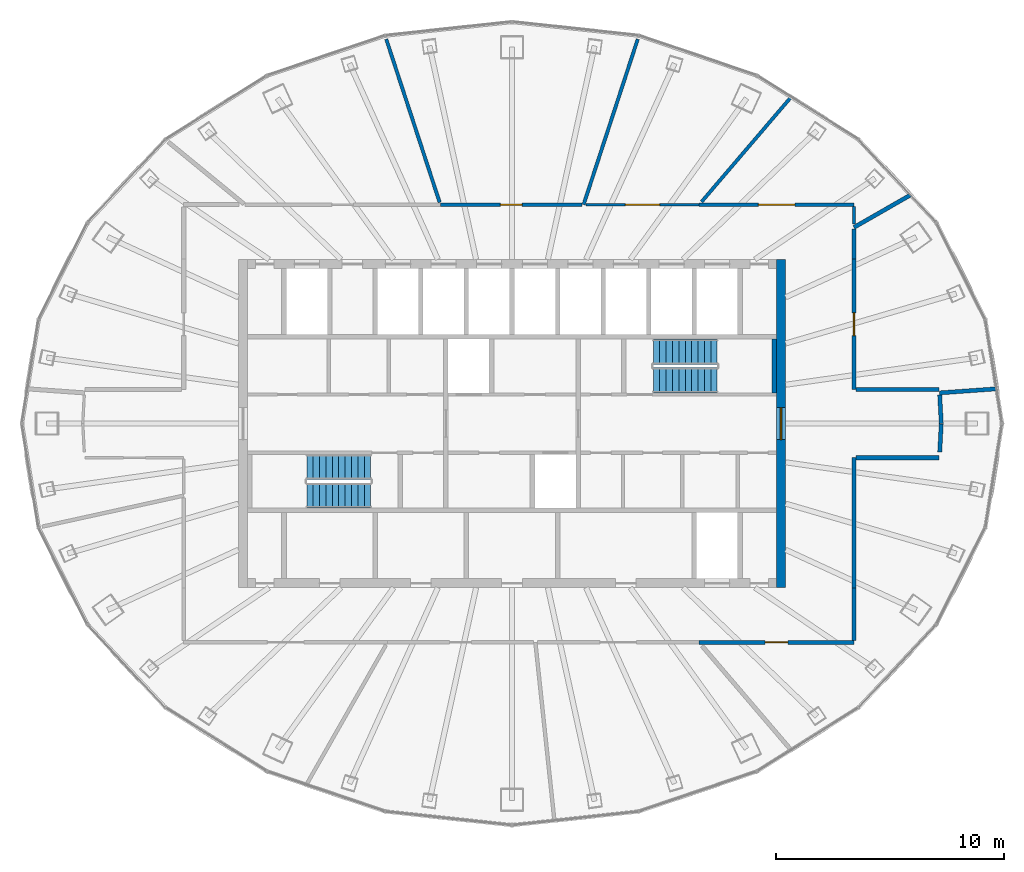
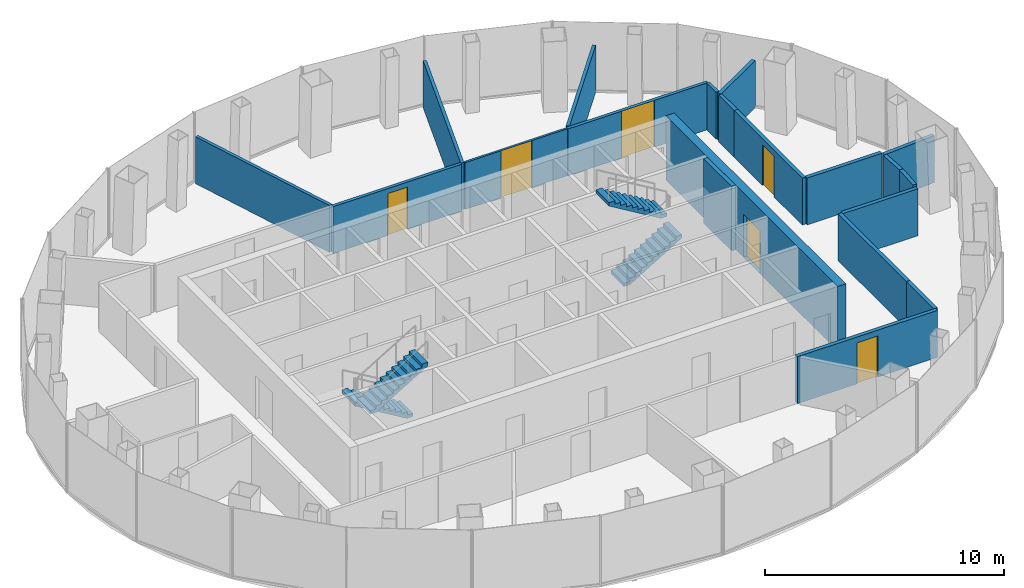
# One storey, part 11 of 12: 20 walls, 6 doors, 4 stair flights, 6 openings, 2 elements without a shape of their own.
"""IFC4 building model written with IfcOpenShell, lengths in metres."""

from ifc_helpers import new_model, si_unit, direction, frame, frame_2d, origin, place, context, subcontext, project, spatial, polyline, rectangle, outline, extrude, material, layer, layer_set, type_object, element, fill, aggregate, save


model = new_model("IFC4")

# Units and contexts
model_context = context("Model", 3, precision=1e-05, world=origin(), true_north=direction((0.0, 1.0)))
body_context = subcontext(model_context, "Body", "Model", "MODEL_VIEW")
ifc_project = project(units=[si_unit("LENGTHUNIT", "METRE"), si_unit("AREAUNIT", "SQUARE_METRE"), si_unit("VOLUMEUNIT", "CUBIC_METRE"), si_unit("PLANEANGLEUNIT", "RADIAN"), si_unit("MASSUNIT", "GRAM", prefix="KILO")], contexts=[model_context])

# Site, building, storey
site_placement = place(None, origin())
site = spatial("IfcSite", under=ifc_project, at=site_placement, CompositionType="ELEMENT")
building_placement = place(site_placement, origin())
building = spatial("IfcBuilding", under=site, at=building_placement, Name="Siaravel Broadcast Tower", CompositionType="ELEMENT")
storey_placement = place(building_placement, frame((0.0, 0.0, 231.89990234375)))
storey = spatial("IfcBuildingStorey", under=building, at=storey_placement, Name="L56", CompositionType="ELEMENT", Elevation=231.89990234375)

# Wall, opening, door
ifc_material_1 = material(Name="Concrete C60/75", Category="concrete")
ifc_layer_1 = layer(ifc_material_1, 0.39990234375)
ifc_layer_set_1 = layer_set([ifc_layer_1], Name="Concrete C60/75")
wall_type_1 = type_object("IfcWallType", Name="Core wall 400", PredefinedType="SHEAR", material=ifc_layer_set_1)
wall_1_placement = place(storey_placement, frame((11.800048828125, -7.199951171875, 0.0), z_axis=(0.0, 0.0, 1.0), x_axis=(0.0, 1.0, 0.0)))
wall_1 = element("IfcWall", 1, at=wall_1_placement, inside=storey, type_object=wall_type_1, Name="L56 core wall OE", PredefinedType="SHEAR", context=body_context, shape_type="SweptSolid", body=[
    extrude(rectangle(XDim=14.39990234375, YDim=0.39990234375, at=frame_2d((7.199951171875, 0.0))), origin(), (0.0, 0.0, 1.0), 3.300048828125),
])
opening_1_placement = place(wall_1_placement, frame((6.5, 0.0, 0.0)))
opening_1 = element("IfcOpeningElement", 2, at=opening_1_placement, cuts=wall_1, Name="Opening L56-DX-E", PredefinedType="OPENING", context=body_context, shape_type="SweptSolid", body=[
    extrude(rectangle(XDim=1.39990234375, YDim=2.199951171875, at=frame_2d((0.699951171875, 1.10009765625))), frame((0.0, 0.2099609375, 0.0), z_axis=(0.0, -1.0, 0.0), x_axis=(1.0, 0.0, 0.0)), (0.0, 0.0, 1.0), 0.419921875),
])
ifc_material_2 = material(Name="Steel", Category="steel")
door_type_1 = type_object("IfcDoorType", Name="Core exit door 1400", OperationType="DOUBLE_DOOR_SINGLE_SWING", PredefinedType="DOOR", material=ifc_material_2)
door_1_placement = place(opening_1_placement, origin())
door_1 = element("IfcDoor", 3, at=door_1_placement, inside=storey, type_object=door_type_1, Name="L56 door DX-E", OperationType="DOUBLE_DOOR_SINGLE_SWING", OverallHeight=2.199951171875, OverallWidth=1.39990234375, PredefinedType="DOOR", context=body_context, shape_type="SweptSolid", body=[
    extrude(rectangle(XDim=1.39990234375, YDim=2.199951171875, at=frame_2d((0.699951171875, 1.10009765625))), frame((0.0, 0.02490234375, 0.0), z_axis=(0.0, -1.0, 0.0), x_axis=(1.0, 0.0, 0.0)), (0.0, 0.0, 1.0), 0.050048828125),
])
fill(opening_1, door_1)

ifc_material_3 = material(Name="Gypsum board partition", Category="gypsum")
ifc_layer_2 = layer(ifc_material_3, 0.14990234375)
ifc_layer_set_2 = layer_set([ifc_layer_2], Name="Gypsum board partition")
wall_type_2 = type_object("IfcWallType", Name="Corridor wall 150", PredefinedType="PARTITIONING", material=ifc_layer_set_2)
wall_2_placement = place(storey_placement, frame((15.0, 9.60009765625, 0.0), z_axis=(0.0, 0.0, 1.0), x_axis=(-1.0, 0.0, 0.0)))
wall_2 = element("IfcWall", 4, at=wall_2_placement, inside=storey, type_object=wall_type_2, Name="L56 partition 9", PredefinedType="PARTITIONING", context=body_context, shape_type="SweptSolid", body=[
    extrude(rectangle(XDim=6.79345703125, YDim=0.14990234375, at=frame_2d((3.396728515625, 0.0))), origin(), (0.0, 0.0, 1.0), 2.400146484375),
])
opening_2_placement = place(wall_2_placement, frame((2.5966796875, 0.0, 0.0)))
opening_2 = element("IfcOpeningElement", 5, at=opening_2_placement, cuts=wall_2, Name="Opening L56-006", PredefinedType="OPENING", context=body_context, shape_type="SweptSolid", body=[
    extrude(rectangle(XDim=1.60009765625, YDim=2.39990234375, at=frame_2d((0.800048828125, 1.199951171875))), frame((0.0, 0.0849609375, 0.0), z_axis=(0.0, -1.0, 0.0), x_axis=(1.0, 0.0, 0.0)), (0.0, 0.0, 1.0), 0.169921875),
])
ifc_material_4 = material(Name="Timber veneer", Category="wood")
door_type_2 = type_object("IfcDoorType", Name="Restaurant double door 1600", OperationType="DOUBLE_DOOR_SINGLE_SWING", PredefinedType="DOOR", material=ifc_material_4)
door_2_placement = place(opening_2_placement, origin())
door_2 = element("IfcDoor", 6, at=door_2_placement, inside=storey, type_object=door_type_2, Name="L56 door to Lounge", OperationType="DOUBLE_DOOR_SINGLE_SWING", OverallHeight=2.39990234375, OverallWidth=1.60009765625, PredefinedType="DOOR", context=body_context, shape_type="SweptSolid", body=[
    extrude(rectangle(XDim=1.60009765625, YDim=2.39990234375, at=frame_2d((0.800048828125, 1.199951171875))), frame((0.0, 0.02490234375, 0.0), z_axis=(0.0, -1.0, 0.0), x_axis=(1.0, 0.0, 0.0)), (0.0, 0.0, 1.0), 0.050048828125),
])
fill(opening_2, door_2)

wall_3_placement = place(storey_placement, frame((3.067138671875, 9.60009765625, 0.0), z_axis=(0.0, 0.0, 1.0), x_axis=(-1.0, 0.0, 0.0)))
wall_3 = element("IfcWall", 7, at=wall_3_placement, inside=storey, type_object=wall_type_2, Name="L56 partition 12", PredefinedType="PARTITIONING", context=body_context, shape_type="SweptSolid", body=[
    extrude(rectangle(XDim=6.20654296875, YDim=0.14990234375, at=frame_2d((3.103271484375, 0.0))), origin(), (0.0, 0.0, 1.0), 2.400146484375),
])
opening_3_placement = place(wall_3_placement, frame((2.628173828125, 0.0, 0.0)))
opening_3 = element("IfcOpeningElement", 8, at=opening_3_placement, cuts=wall_3, Name="Opening L56-008", PredefinedType="OPENING", context=body_context, shape_type="SweptSolid", body=[
    extrude(rectangle(XDim=0.949951171875, YDim=2.14990234375, at=frame_2d((0.47509765625, 1.074951171875))), frame((0.0, 0.0849609375, 0.0), z_axis=(0.0, -1.0, 0.0), x_axis=(1.0, 0.0, 0.0)), (0.0, 0.0, 1.0), 0.169921875),
])
door_type_3 = type_object("IfcDoorType", Name="Office door 950", OperationType="SINGLE_SWING_LEFT", PredefinedType="DOOR", material=ifc_material_4)
door_3_placement = place(opening_3_placement, origin())
door_3 = element("IfcDoor", 9, at=door_3_placement, inside=storey, type_object=door_type_3, Name="L56 door to Reception", OperationType="SINGLE_SWING_RIGHT", OverallHeight=2.14990234375, OverallWidth=0.949951171875, PredefinedType="DOOR", context=body_context, shape_type="SweptSolid", body=[
    extrude(rectangle(XDim=0.949951171875, YDim=2.14990234375, at=frame_2d((0.47509765625, 1.074951171875))), frame((0.0, 0.02490234375, 0.0), z_axis=(0.0, -1.0, 0.0), x_axis=(1.0, 0.0, 0.0)), (0.0, 0.0, 1.0), 0.050048828125),
])
fill(opening_3, door_3)

# Wall
wall_4_placement = place(storey_placement, frame((15.0, 8.752197265625, 0.0), z_axis=(0.0, 0.0, 1.0), x_axis=(0.0, 1.0, 0.0)))
element("IfcWall", 10, at=wall_4_placement, inside=storey, type_object=wall_type_2, Name="L56 partition 38", PredefinedType="PARTITIONING", context=body_context, shape_type="SweptSolid", body=[
    extrude(rectangle(XDim=0.770751953125, YDim=0.14990234375, at=frame_2d((0.38525390625, 0.0))), origin(), (0.0, 0.0, 1.0), 2.400146484375),
])

# Wall, opening, door
ifc_material_5 = material(Name="Glazed aluminium partition", Category="aluminium")
ifc_layer_3 = layer(ifc_material_5, 0.10009765625)
ifc_layer_set_3 = layer_set([ifc_layer_3], Name="Glazed aluminium partition")
wall_type_3 = type_object("IfcWallType", Name="Glazed meeting room partition 100", PredefinedType="PARTITIONING", material=ifc_layer_set_3)
wall_5_placement = place(storey_placement, frame((8.20654296875, 9.60009765625, 0.0), z_axis=(0.0, 0.0, 1.0), x_axis=(-1.0, 0.0, 0.0)))
wall_5 = element("IfcWall", 11, at=wall_5_placement, inside=storey, type_object=wall_type_3, Name="L56 partition 18", PredefinedType="PARTITIONING", context=body_context, shape_type="SweptSolid", body=[
    extrude(rectangle(XDim=4.968994140625, YDim=0.10009765625, at=frame_2d((2.484375, 0.0))), origin(), (0.0, 0.0, 1.0), 2.400146484375),
])
opening_4_placement = place(wall_5_placement, frame((1.734375, 0.0, 0.0)))
opening_4 = element("IfcOpeningElement", 12, at=opening_4_placement, cuts=wall_5, Name="Opening L56-007", PredefinedType="OPENING", context=body_context, shape_type="SweptSolid", body=[
    extrude(rectangle(XDim=1.5, YDim=2.39990234375, at=frame_2d((0.75, 1.199951171875))), frame((0.0, 0.06005859375, 0.0), z_axis=(0.0, -1.0, 0.0), x_axis=(1.0, 0.0, 0.0)), (0.0, 0.0, 1.0), 0.1201171875),
])
door_type_4 = type_object("IfcDoorType", Name="Conference double door 1500", OperationType="DOUBLE_DOOR_SINGLE_SWING", PredefinedType="DOOR", material=ifc_material_4)
door_4_placement = place(opening_4_placement, origin())
door_4 = element("IfcDoor", 13, at=door_4_placement, inside=storey, type_object=door_type_4, Name="L56 door to Boardroom", OperationType="DOUBLE_DOOR_SINGLE_SWING", OverallHeight=2.39990234375, OverallWidth=1.5, PredefinedType="DOOR", context=body_context, shape_type="SweptSolid", body=[
    extrude(rectangle(XDim=1.5, YDim=2.39990234375, at=frame_2d((0.75, 1.199951171875))), frame((0.0, 0.02490234375, 0.0), z_axis=(0.0, -1.0, 0.0), x_axis=(1.0, 0.0, 0.0)), (0.0, 0.0, 1.0), 0.050048828125),
])
fill(opening_4, door_4)

# Walls
ifc_layer_4 = layer(ifc_material_3, 0.14990234375)
ifc_layer_set_4 = layer_set([ifc_layer_4], Name="Gypsum board partition")
wall_type_4 = type_object("IfcWallType", Name="Room partition 150", PredefinedType="PARTITIONING", material=ifc_layer_set_4)
wall_6_placement = place(storey_placement, frame((-5.514892578125, 16.858642578125, 0.0), z_axis=(0.0, 0.0, 1.0), x_axis=(0.310923007, -0.950435102, 0.0)))
element("IfcWall", 14, at=wall_6_placement, inside=storey, type_object=wall_type_4, Name="L56 partition 4", PredefinedType="PARTITIONING", context=body_context, shape_type="SweptSolid", body=[
    extrude(rectangle(XDim=7.53173828125, YDim=0.14990234375, at=frame_2d((3.765869140625, 0.0))), origin(), (0.0, 0.0, 1.0), 2.400146484375),
])
wall_7_placement = place(storey_placement, frame((5.5146484375, 16.85791015625, 0.0), z_axis=(0.0, 0.0, 1.0), x_axis=(-0.31091882, -0.950436472, 0.0)))
element("IfcWall", 15, at=wall_7_placement, inside=storey, type_object=wall_type_4, Name="L56 partition 5", PredefinedType="PARTITIONING", context=body_context, shape_type="SweptSolid", body=[
    extrude(rectangle(XDim=7.63623046875, YDim=0.14990234375, at=frame_2d((3.818115234375, 0.0))), origin(), (0.0, 0.0, 1.0), 2.400146484375),
])
wall_8_placement = place(storey_placement, frame((12.224365234375, 14.30029296875, 0.0), z_axis=(0.0, 0.0, 1.0), x_axis=(-0.649785307, -0.76011779, 0.0)))
element("IfcWall", 16, at=wall_8_placement, inside=storey, type_object=wall_type_4, Name="L56 partition 14", PredefinedType="PARTITIONING", context=body_context, shape_type="SweptSolid", body=[
    extrude(rectangle(XDim=6.018798828125, YDim=0.14990234375, at=frame_2d((3.00927734375, 0.0))), origin(), (0.0, 0.0, 1.0), 2.400146484375),
])

# Wall, opening, door
ifc_material_6 = material(Name="Concrete blockwork", Category="masonry")
ifc_layer_5 = layer(ifc_material_6, 0.179931640625)
ifc_layer_set_5 = layer_set([ifc_layer_5], Name="Concrete blockwork")
wall_type_5 = type_object("IfcWallType", Name="Service room fire partition 180", PredefinedType="PARTITIONING", material=ifc_layer_set_5)
wall_9_placement = place(storey_placement, frame((8.20654296875, -9.60009765625, 0.0), z_axis=(0.0, 0.0, 1.0), x_axis=(1.0, 0.0, 0.0)))
wall_9 = element("IfcWall", 17, at=wall_9_placement, inside=storey, type_object=wall_type_5, Name="L56 partition 8", PredefinedType="PARTITIONING", context=body_context, shape_type="SweptSolid", body=[
    extrude(rectangle(XDim=6.79345703125, YDim=0.179931640625, at=frame_2d((3.396728515625, 0.0))), origin(), (0.0, 0.0, 1.0), 2.400146484375),
])
opening_5_placement = place(wall_9_placement, frame((2.896728515625, 0.0, 0.0)))
opening_5 = element("IfcOpeningElement", 18, at=opening_5_placement, cuts=wall_9, Name="Opening L56-004", PredefinedType="OPENING", context=body_context, shape_type="SweptSolid", body=[
    extrude(rectangle(XDim=1.0, YDim=2.10009765625, at=frame_2d((0.5, 1.050048828125))), frame((0.0, 0.099853515625, 0.0), z_axis=(0.0, -1.0, 0.0), x_axis=(1.0, 0.0, 0.0)), (0.0, 0.0, 1.0), 0.199951171875),
])
door_type_5 = type_object("IfcDoorType", Name="Service room door 1000", OperationType="SINGLE_SWING_LEFT", PredefinedType="DOOR", material=ifc_material_2)
door_5_placement = place(opening_5_placement, origin())
door_5 = element("IfcDoor", 19, at=door_5_placement, inside=storey, type_object=door_type_5, Name="L56 door to Library", OperationType="SINGLE_SWING_RIGHT", OverallHeight=2.10009765625, OverallWidth=1.0, PredefinedType="DOOR", context=body_context, shape_type="SweptSolid", body=[
    extrude(rectangle(XDim=1.0, YDim=2.10009765625, at=frame_2d((0.5, 1.050048828125))), frame((0.0, 0.02490234375, 0.0), z_axis=(0.0, -1.0, 0.0), x_axis=(1.0, 0.0, 0.0)), (0.0, 0.0, 1.0), 0.050048828125),
])
fill(opening_5, door_5)

# Wall
wall_10_placement = place(storey_placement, frame((15.0, -7.2119140625, 0.0), z_axis=(0.0, 0.0, 1.0), x_axis=(0.0, 1.0, 0.0)))
element("IfcWall", 20, at=wall_10_placement, inside=storey, type_object=wall_type_5, Name="L56 partition 16", PredefinedType="PARTITIONING", context=body_context, shape_type="SweptSolid", body=[
    extrude(rectangle(XDim=5.7119140625, YDim=0.179931640625, at=frame_2d((2.85595703125, 0.0))), origin(), (0.0, 0.0, 1.0), 2.400146484375),
])

# Wall, opening, door
wall_11_placement = place(storey_placement, frame((15.0, 1.5, 0.0), z_axis=(0.0, 0.0, 1.0), x_axis=(0.0, 1.0, 0.0)))
wall_11 = element("IfcWall", 21, at=wall_11_placement, inside=storey, type_object=wall_type_5, Name="L56 partition 17", PredefinedType="PARTITIONING", context=body_context, shape_type="SweptSolid", body=[
    extrude(rectangle(XDim=5.7119140625, YDim=0.179931640625, at=frame_2d((2.85595703125, 0.0))), origin(), (0.0, 0.0, 1.0), 2.400146484375),
])
opening_6_placement = place(wall_11_placement, frame((2.35595703125, 0.0, 0.0)))
opening_6 = element("IfcOpeningElement", 22, at=opening_6_placement, cuts=wall_11, Name="Opening L56-005", PredefinedType="OPENING", context=body_context, shape_type="SweptSolid", body=[
    extrude(rectangle(XDim=1.0, YDim=2.10009765625, at=frame_2d((0.5, 1.050048828125))), frame((0.0, 0.099853515625, 0.0), z_axis=(0.0, -1.0, 0.0), x_axis=(1.0, 0.0, 0.0)), (0.0, 0.0, 1.0), 0.199951171875),
])
door_6_placement = place(opening_6_placement, origin())
door_6 = element("IfcDoor", 23, at=door_6_placement, inside=storey, type_object=door_type_5, Name="L56 door to Library", OperationType="SINGLE_SWING_LEFT", OverallHeight=2.10009765625, OverallWidth=1.0, PredefinedType="DOOR", context=body_context, shape_type="SweptSolid", body=[
    extrude(rectangle(XDim=1.0, YDim=2.10009765625, at=frame_2d((0.5, 1.050048828125))), frame((0.0, 0.02490234375, 0.0), z_axis=(0.0, -1.0, 0.0), x_axis=(1.0, 0.0, 0.0)), (0.0, 0.0, 1.0), 0.050048828125),
])
fill(opening_6, door_6)

# Walls
for number, where, z_axis, x_axis, name in (
    (24, (15.092041015625, -1.5, 0.0), (0.0, 0.0, 1.0), (1.0, 0.0, 0.0), "L56 partition 23"),
    (25, (18.721923828125, 1.5, 0.0), (0.0, 0.0, 1.0), (-1.0, 0.0, 0.0), "L56 partition 24"),
):
    element("IfcWall", number, at=place(storey_placement, frame(where, z_axis=z_axis, x_axis=x_axis)), inside=storey, type_object=wall_type_5, Name=name, PredefinedType="PARTITIONING", context=body_context, shape_type="SweptSolid", body=[
        extrude(rectangle(XDim=3.6298828125, YDim=0.179931640625, at=frame_2d((1.81494140625, 0.0))), origin(), (0.0, 0.0, 1.0), 2.400146484375),
    ])
wall_12_placement = place(storey_placement, frame((17.465576171875, 10.017333984375, 0.0), z_axis=(0.0, 0.0, 1.0), x_axis=(-0.867459752, -0.497507365, 0.0)))
element("IfcWall", 26, at=wall_12_placement, inside=storey, type_object=wall_type_5, Name="L56 partition 25", PredefinedType="PARTITIONING", context=body_context, shape_type="SweptSolid", body=[
    extrude(rectangle(XDim=2.84228515625, YDim=0.179931640625, at=frame_2d((1.421142578125, 0.0))), origin(), (0.0, 0.0, 1.0), 2.400146484375),
])
wall_13_placement = place(storey_placement, frame((21.250244140625, 1.52294921875, 0.0), z_axis=(0.0, 0.0, 1.0), x_axis=(-0.997440396, -0.071502847, 0.0)))
element("IfcWall", 27, at=wall_13_placement, inside=storey, type_object=wall_type_5, Name="L56 partition 27", PredefinedType="PARTITIONING", context=body_context, shape_type="SweptSolid", body=[
    extrude(rectangle(XDim=2.509521484375, YDim=0.179931640625, at=frame_2d((1.2548828125, 0.0))), origin(), (0.0, 0.0, 1.0), 2.400146484375),
])
wall_14_placement = place(storey_placement, frame((15.0, -9.508056640625, 0.0), z_axis=(0.0, 0.0, 1.0), x_axis=(0.0, 1.0, 0.0)))
element("IfcWall", 28, at=wall_14_placement, inside=storey, type_object=wall_type_5, Name="L56 partition 31", PredefinedType="PARTITIONING", context=body_context, shape_type="SweptSolid", body=[
    extrude(rectangle(XDim=2.295166015625, YDim=0.179931640625, at=frame_2d((1.1474609375, 0.0))), origin(), (0.0, 0.0, 1.0), 2.400146484375),
])
wall_15_placement = place(storey_placement, frame((15.0, 7.212890625, 0.0), z_axis=(0.0, 0.0, 1.0), x_axis=(0.0, 1.0, 0.0)))
element("IfcWall", 29, at=wall_15_placement, inside=storey, type_object=wall_type_5, Name="L56 partition 33", PredefinedType="PARTITIONING", context=body_context, shape_type="SweptSolid", body=[
    extrude(rectangle(XDim=1.310302734375, YDim=0.179931640625, at=frame_2d((0.6552734375, 0.0))), origin(), (0.0, 0.0, 1.0), 2.400146484375),
])
wall_16_placement = place(storey_placement, frame((18.828369140625, 0.0, 0.0), z_axis=(0.0, 0.0, 1.0), x_axis=(-0.053151512, 0.998586459, 0.0)))
element("IfcWall", 30, at=wall_16_placement, inside=storey, type_object=wall_type_5, Name="L56 partition 35", PredefinedType="PARTITIONING", context=body_context, shape_type="SweptSolid", body=[
    extrude(rectangle(XDim=1.25390625, YDim=0.179931640625, at=frame_2d((0.626953125, 0.0))), origin(), (0.0, 0.0, 1.0), 2.400146484375),
])
wall_17_placement = place(storey_placement, frame((18.76171875, -1.253173828125, 0.0), z_axis=(0.0, 0.0, 1.0), x_axis=(0.053218479, 0.998582893, 0.0)))
element("IfcWall", 31, at=wall_17_placement, inside=storey, type_object=wall_type_5, Name="L56 partition 37", PredefinedType="PARTITIONING", context=body_context, shape_type="SweptSolid", body=[
    extrude(rectangle(XDim=1.2431640625, YDim=0.179931640625, at=frame_2d((0.62158203125, 0.0))), origin(), (0.0, 0.0, 1.0), 2.400146484375),
])
ifc_layer_6 = layer(ifc_material_1, 0.199951171875)
ifc_layer_set_6 = layer_set([ifc_layer_6], Name="Concrete C60/75")
wall_type_6 = type_object("IfcWallType", Name="Shaft wall 200", PredefinedType="SHEAR", material=ifc_layer_set_6)
wall_18_placement = place(storey_placement, frame((11.5, 1.35009765625, 0.0), z_axis=(0.0, 0.0, 1.0), x_axis=(0.0, 1.0, 0.0)))
element("IfcWall", 32, at=wall_18_placement, inside=storey, type_object=wall_type_6, Name="L56 core wall ST2E", PredefinedType="SHEAR", context=body_context, shape_type="SweptSolid", body=[
    extrude(rectangle(XDim=2.349853515625, YDim=0.199951171875, at=frame_2d((1.1748046875, 0.0))), origin(), (0.0, 0.0, 1.0), 3.300048828125),
])

# Stair, stair flights
ifc_material_7 = material(Name="Concrete C40/50", Category="concrete")
stair_type = type_object("IfcStairType", Name="Core exit stair", PredefinedType="HALF_TURN_STAIR", material=ifc_material_7)
stair_1_placement = place(storey_placement, origin())
stair_1 = element("IfcStair", 33, at=stair_1_placement, inside=storey, type_object=stair_type, Name="L56 Exit stair ST-1", PredefinedType="HALF_TURN_STAIR")
stair_flight_type = type_object("IfcStairFlightType", Name="Stair flight 1100", PredefinedType="STRAIGHT", material=ifc_material_7)
stair_flight_1_placement = place(storey_placement, frame((-6.199951171875, -1.89990234375, 0.0), z_axis=(0.0, 0.0, 1.0), x_axis=(-1.0, 0.0, 0.0)))
stair_flight_1 = element("IfcStairFlight", 34, at=stair_flight_1_placement, type_object=stair_flight_type, Name="ST-1 flight 1", NumberOfRisers=11, NumberOfTreads=10, PredefinedType="STRAIGHT", RiserHeight=0.1681818, TreadLength=0.28, context=body_context, shape_type="SweptSolid", body=[
    extrude(outline(polyline([(0.0, 0.0), (0.0, 0.168212890625), (0.280029296875, 0.168212890625), (0.280029296875, 0.33642578125), (0.56005859375, 0.33642578125), (0.56005859375, 0.504638671875), (0.840087890625, 0.504638671875), (0.840087890625, 0.672607421875), (1.1201171875, 0.672607421875), (1.1201171875, 0.8408203125), (1.39990234375, 0.8408203125), (1.39990234375, 1.009033203125), (1.679931640625, 1.009033203125), (1.679931640625, 1.17724609375), (1.9599609375, 1.17724609375), (1.9599609375, 1.345458984375), (2.239990234375, 1.345458984375), (2.239990234375, 1.513671875), (2.52001953125, 1.513671875), (2.52001953125, 1.681884765625), (2.800048828125, 1.681884765625), (2.800048828125, 1.85009765625), (2.800048828125, 1.5068359375), (0.291015625, 0.0), (0.0, 0.0)])), frame((0.0, 0.550048828125, 0.0), z_axis=(0.0, -1.0, 0.0), x_axis=(1.0, 0.0, 0.0)), (0.0, 0.0, 1.0), 1.10009765625),
])
stair_flight_2_placement = place(storey_placement, frame((-9.0, -3.14990234375, 1.85009765625), z_axis=(0.0, 0.0, 1.0), x_axis=(1.0, 0.0, 0.0)))
stair_flight_2 = element("IfcStairFlight", 35, at=stair_flight_2_placement, type_object=stair_flight_type, Name="ST-1 flight 2", NumberOfRisers=11, NumberOfTreads=10, PredefinedType="STRAIGHT", RiserHeight=0.1681818, TreadLength=0.28, context=body_context, shape_type="SweptSolid", body=[
    extrude(outline(polyline([(0.0, 0.0), (0.0, 0.168212890625), (0.280029296875, 0.168212890625), (0.280029296875, 0.33642578125), (0.56005859375, 0.33642578125), (0.56005859375, 0.504638671875), (0.840087890625, 0.504638671875), (0.840087890625, 0.672607421875), (1.1201171875, 0.672607421875), (1.1201171875, 0.8408203125), (1.39990234375, 0.8408203125), (1.39990234375, 1.009033203125), (1.679931640625, 1.009033203125), (1.679931640625, 1.17724609375), (1.9599609375, 1.17724609375), (1.9599609375, 1.345458984375), (2.239990234375, 1.345458984375), (2.239990234375, 1.513671875), (2.52001953125, 1.513671875), (2.52001953125, 1.681884765625), (2.800048828125, 1.681884765625), (2.800048828125, 1.85009765625), (2.800048828125, 1.5068359375), (0.291015625, 0.0), (0.0, 0.0)])), frame((0.0, 0.550048828125, 0.0), z_axis=(0.0, -1.0, 0.0), x_axis=(1.0, 0.0, 0.0)), (0.0, 0.0, 1.0), 1.10009765625),
])
aggregate(stair_1, [stair_flight_1, stair_flight_2])

stair_2_placement = place(storey_placement, origin())
stair_2 = element("IfcStair", 36, at=stair_2_placement, inside=storey, type_object=stair_type, Name="L56 Exit stair ST-2", PredefinedType="HALF_TURN_STAIR")
stair_flight_3_placement = place(storey_placement, frame((6.199951171875, 1.89990234375, 0.0), z_axis=(0.0, 0.0, 1.0), x_axis=(1.0, 0.0, 0.0)))
stair_flight_3 = element("IfcStairFlight", 37, at=stair_flight_3_placement, type_object=stair_flight_type, Name="ST-2 flight 1", NumberOfRisers=11, NumberOfTreads=10, PredefinedType="STRAIGHT", RiserHeight=0.1681818, TreadLength=0.28, context=body_context, shape_type="SweptSolid", body=[
    extrude(outline(polyline([(0.0, 0.0), (0.0, 0.168212890625), (0.280029296875, 0.168212890625), (0.280029296875, 0.33642578125), (0.56005859375, 0.33642578125), (0.56005859375, 0.504638671875), (0.840087890625, 0.504638671875), (0.840087890625, 0.672607421875), (1.1201171875, 0.672607421875), (1.1201171875, 0.8408203125), (1.39990234375, 0.8408203125), (1.39990234375, 1.009033203125), (1.679931640625, 1.009033203125), (1.679931640625, 1.17724609375), (1.9599609375, 1.17724609375), (1.9599609375, 1.345458984375), (2.239990234375, 1.345458984375), (2.239990234375, 1.513671875), (2.52001953125, 1.513671875), (2.52001953125, 1.681884765625), (2.800048828125, 1.681884765625), (2.800048828125, 1.85009765625), (2.800048828125, 1.5068359375), (0.291015625, 0.0), (0.0, 0.0)])), frame((0.0, 0.550048828125, 0.0), z_axis=(0.0, -1.0, 0.0), x_axis=(1.0, 0.0, 0.0)), (0.0, 0.0, 1.0), 1.10009765625),
])
stair_flight_4_placement = place(storey_placement, frame((9.0, 3.14990234375, 1.85009765625), z_axis=(0.0, 0.0, 1.0), x_axis=(-1.0, 0.0, 0.0)))
stair_flight_4 = element("IfcStairFlight", 38, at=stair_flight_4_placement, type_object=stair_flight_type, Name="ST-2 flight 2", NumberOfRisers=11, NumberOfTreads=10, PredefinedType="STRAIGHT", RiserHeight=0.1681818, TreadLength=0.28, context=body_context, shape_type="SweptSolid", body=[
    extrude(outline(polyline([(0.0, 0.0), (0.0, 0.168212890625), (0.280029296875, 0.168212890625), (0.280029296875, 0.33642578125), (0.56005859375, 0.33642578125), (0.56005859375, 0.504638671875), (0.840087890625, 0.504638671875), (0.840087890625, 0.672607421875), (1.1201171875, 0.672607421875), (1.1201171875, 0.8408203125), (1.39990234375, 0.8408203125), (1.39990234375, 1.009033203125), (1.679931640625, 1.009033203125), (1.679931640625, 1.17724609375), (1.9599609375, 1.17724609375), (1.9599609375, 1.345458984375), (2.239990234375, 1.345458984375), (2.239990234375, 1.513671875), (2.52001953125, 1.513671875), (2.52001953125, 1.681884765625), (2.800048828125, 1.681884765625), (2.800048828125, 1.85009765625), (2.800048828125, 1.5068359375), (0.291015625, 0.0), (0.0, 0.0)])), frame((0.0, 0.550048828125, 0.0), z_axis=(0.0, -1.0, 0.0), x_axis=(1.0, 0.0, 0.0)), (0.0, 0.0, 1.0), 1.10009765625),
])
aggregate(stair_2, [stair_flight_3, stair_flight_4])

save(model, "model.ifc")
